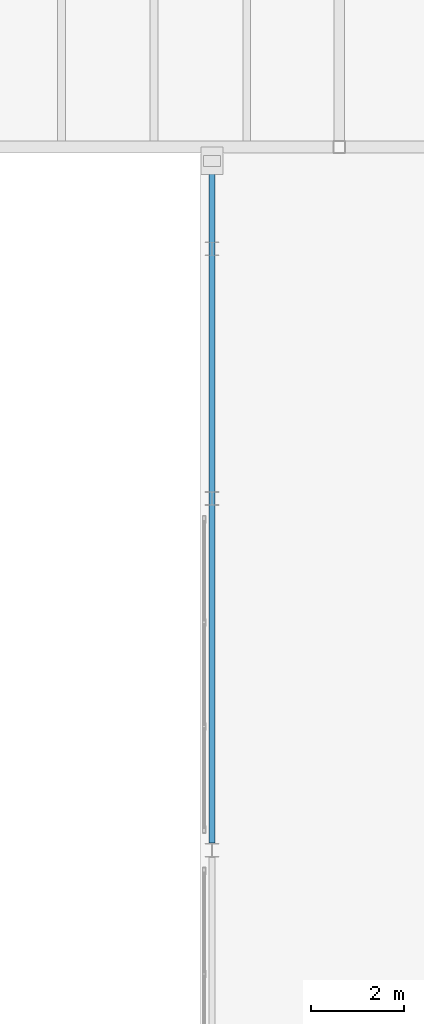
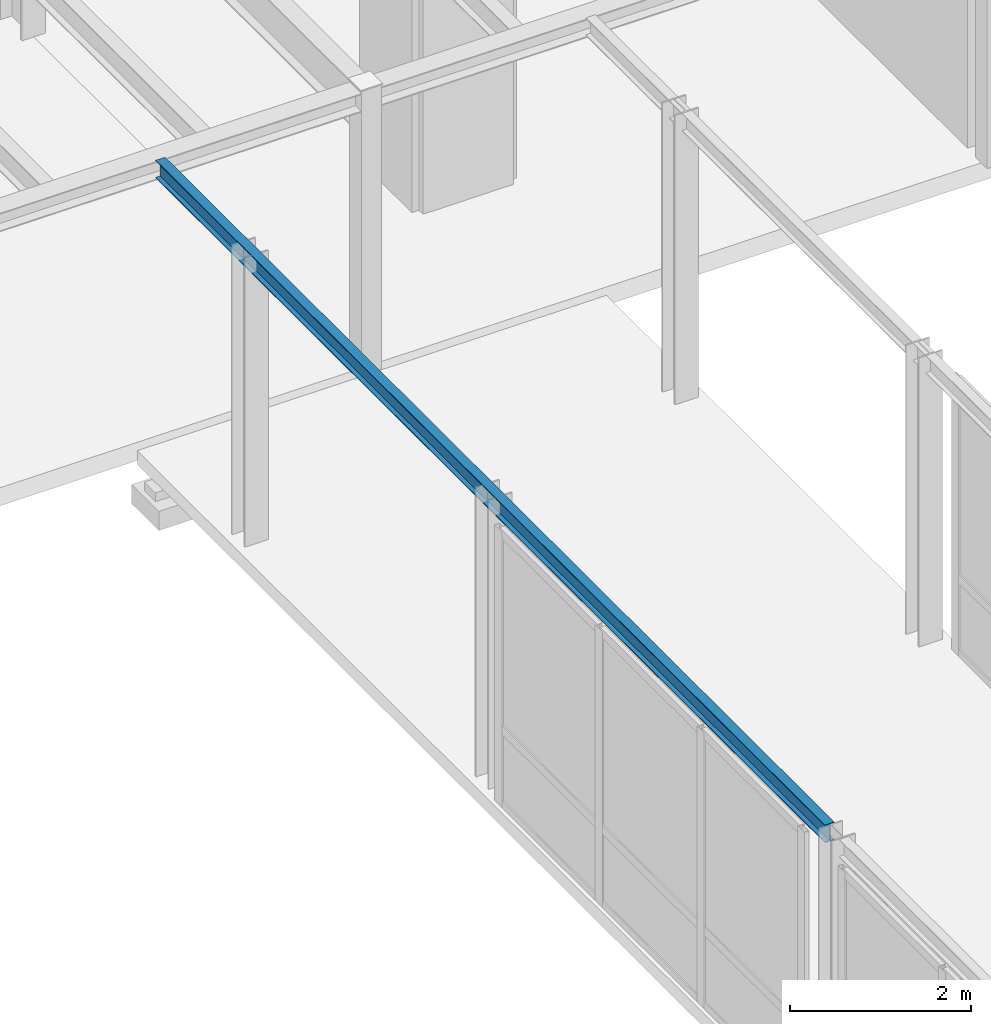
# One storey, part 129 of 189: 1 beam.
"""IFC4 building model written with IfcOpenShell, lengths in metres."""

import ifcopenshell
import ifcopenshell.guid

model = None  # the IFC model being written
_history = None  # IfcOwnerHistory: only IFC2X3 demands one
_inside = {}  # id of a spatial element -> (the spatial element, [elements in it])
_under = {}  # id of a project, library or spatial element -> (it, [spatial elements below it])
_declared = {}  # id of a project -> (the project, [libraries it declares])
_typed = {}  # id of a type object -> (the type object, [elements of that type])
_made_of = {}  # id of a material, layer set ... -> (it, [elements and type objects made of it])


def new_model(schema):
    """Start an empty IFC model of exactly this schema.

    Asked for "IFC4X3", IfcOpenShell would pick the latest addendum, in which some entities
    have other attributes; the version numbers below select the first issue.
    IFC2X3 requires an IfcOwnerHistory on every rooted entity: one is made here for all.
    """
    global model, _history
    if schema == "IFC4X3":
        model = ifcopenshell.file(schema_version=(4, 3, 0, 0))
    else:
        model = ifcopenshell.file(schema=schema)
    _inside.clear()
    _under.clear()
    _declared.clear()
    _typed.clear()
    _made_of.clear()
    _history = None
    if model.schema == "IFC2X3":
        org = make("IfcOrganization", Name="unknown")
        user = make(
            "IfcPersonAndOrganization",
            ThePerson=make("IfcPerson", FamilyName="unknown"),
            TheOrganization=org,
        )
        app = make(
            "IfcApplication",
            ApplicationDeveloper=org,
            Version="unknown",
            ApplicationFullName="unknown",
            ApplicationIdentifier="unknown",
        )
        _history = make(
            "IfcOwnerHistory",
            OwningUser=user,
            OwningApplication=app,
            ChangeAction="ADDED",
            CreationDate=0,
        )
    return model


def make(cls, **values):
    """One entity of the class cls with the attributes given. An attribute that is None is left unset."""
    return model.create_entity(
        cls, **{name: value for name, value in values.items() if value is not None}
    )


def rooted(cls, **values):
    """An entity with a GlobalId (a new one), such as an element, a storey or a relation."""
    return make(cls, GlobalId=ifcopenshell.guid.new(), OwnerHistory=_history, **values)


def si_unit(unit_type, name, prefix=None):
    """IfcSIUnit, for example si_unit("LENGTHUNIT", "METRE", prefix="MILLI")."""
    return make("IfcSIUnit", UnitType=unit_type, Prefix=prefix, Name=name)


def assignment(units):
    """IfcUnitAssignment: the units of a project."""
    return None if units is None else make("IfcUnitAssignment", Units=units)


def point(xyz):
    """IfcCartesianPoint."""
    return None if xyz is None else make("IfcCartesianPoint", Coordinates=xyz)


def direction(xyz):
    """IfcDirection."""
    return None if xyz is None else make("IfcDirection", DirectionRatios=xyz)


def frame(location, z_axis=None, x_axis=None):
    """IfcAxis2Placement3D, a coordinate frame: its origin and axes. An axis left out is left unset."""
    return make(
        "IfcAxis2Placement3D",
        Location=point(location),
        Axis=direction(z_axis),
        RefDirection=direction(x_axis),
    )


def frame_2d(location, x_axis=None):
    """IfcAxis2Placement2D, a coordinate frame in the plane: its origin and x axis."""
    return make(
        "IfcAxis2Placement2D", Location=point(location), RefDirection=direction(x_axis)
    )


def origin():
    """The frame at (0, 0, 0) with its axes left unset."""
    return frame((0.0, 0.0, 0.0))


def origin_2d():
    """The frame at (0, 0) in the plane with its x axis left unset."""
    return frame_2d((0.0, 0.0))


def place(relative_to, where):
    """IfcLocalPlacement: puts the frame where relative to a parent placement (None: the world)."""
    return make(
        "IfcLocalPlacement", PlacementRelTo=relative_to, RelativePlacement=where
    )


def context(
    kind, dimensions, precision=None, world=None, true_north=None, identifier=None
):
    """IfcGeometricRepresentationContext, for example the 3D "Model" context."""
    return make(
        "IfcGeometricRepresentationContext",
        ContextIdentifier=identifier,
        ContextType=kind,
        CoordinateSpaceDimension=dimensions,
        Precision=precision,
        WorldCoordinateSystem=world,
        TrueNorth=true_north,
    )


def subcontext(parent, identifier, kind, view, scale=None):
    """IfcGeometricRepresentationSubContext, for example "Body" below "Model"."""
    return make(
        "IfcGeometricRepresentationSubContext",
        ContextIdentifier=identifier,
        ContextType=kind,
        ParentContext=parent,
        TargetScale=scale,
        TargetView=view,
    )


def project(units=None, contexts=None):
    """IfcProject with its units and contexts."""
    return rooted(
        "IfcProject",
        Name="project",
        RepresentationContexts=contexts,
        UnitsInContext=assignment(units),
    )


def spatial(cls, under=None, at=None, **own):
    """A site, building, storey or space (cls), placed at a placement, below another one or the project."""
    s = rooted(cls, ObjectPlacement=at, **own)
    if under is not None:
        _under.setdefault(under.id(), (under, []))[1].append(s)
    return s


def profile(cls, at=None, kind="AREA", **sizes):
    """A parametric profile (cls). Its sizes go by their IFC names, for example OverallWidth=200.0."""
    return make(cls, ProfileType=kind, Position=at, **sizes)


def i_section(**sizes):
    """IfcIShapeProfileDef."""
    return profile("IfcIShapeProfileDef", **sizes)


def extrude(swept, where, along, depth):
    """IfcExtrudedAreaSolid: the profile swept, set in the frame where, extruded along a direction by depth."""
    return make(
        "IfcExtrudedAreaSolid",
        SweptArea=swept,
        Position=where,
        ExtrudedDirection=direction(along),
        Depth=depth,
    )


def shape(context_of_items, identifier, shape_type, items):
    """IfcShapeRepresentation: the items that make up one representation, for example the "Body"."""
    return make(
        "IfcShapeRepresentation",
        ContextOfItems=context_of_items,
        RepresentationIdentifier=identifier,
        RepresentationType=shape_type,
        Items=items,
    )


def material(Name=None, Category=None):
    """IfcMaterial."""
    return make("IfcMaterial", Name=Name, Category=Category)


def material_profile(
    of_material, cross_section, Name=None, Category=None, Priority=None
):
    """IfcMaterialProfile: a cross section and its material."""
    return make(
        "IfcMaterialProfile",
        Name=Name,
        Material=of_material,
        Profile=cross_section,
        Priority=Priority,
        Category=Category,
    )


def profile_set(profiles, Name=None, composite=None):
    """IfcMaterialProfileSet."""
    return make(
        "IfcMaterialProfileSet",
        Name=Name,
        MaterialProfiles=profiles,
        CompositeProfile=composite,
    )


def made_of(thing, what):
    """Note that an element or type object is made of a material, layer set ...; save() writes the relation."""
    if what is not None:
        _made_of.setdefault(what.id(), (what, []))[1].append(thing)
    return thing


def type_object(cls, material=None, **own):
    """A type object (cls), such as IfcWallType, which elements share."""
    return made_of(rooted(cls, **own), material)


def element(
    cls,
    number,
    at=None,
    inside=None,
    cuts=None,
    type_object=None,
    material=None,
    context=None,
    identifier="Body",
    shape_type=None,
    held_by="IfcProductDefinitionShape",
    body=None,
    shapes=None,
    **own,
):
    """One element of the class cls, such as IfcWall. Its Tag is "e" and its number.

    at: its placement. inside: the storey or other place that contains it. cuts: it is an
    opening in that element (IfcRelVoidsElement). A single representation is given by context,
    identifier, shape_type and body (its items); several are given by shapes. held_by: the class
    of the entity that holds the representations. save() writes the other relations.
    """
    e = rooted(cls, Tag="e%d" % number, ObjectPlacement=at, **own)
    if body is not None:
        shapes = [shape(context, identifier, shape_type, body)]
    if shapes is not None:
        e.Representation = make(held_by, Representations=shapes)
    if inside is not None:
        _inside.setdefault(inside.id(), (inside, []))[1].append(e)
    if cuts is not None:
        rooted(
            "IfcRelVoidsElement", RelatingBuildingElement=cuts, RelatedOpeningElement=e
        )
    if type_object is not None:
        _typed.setdefault(type_object.id(), (type_object, []))[1].append(e)
    return made_of(e, material)


def aggregate(whole, parts):
    """IfcRelAggregates: a whole, such as a stair, and the parts it consists of."""
    return rooted("IfcRelAggregates", RelatingObject=whole, RelatedObjects=parts)


def save(model, path):
    """Write the relations noted so far, then the file.

    IfcRelAggregates (storeys below a building ...), IfcRelContainedInSpatialStructure (elements
    in a storey), IfcRelDefinesByType, IfcRelAssociatesMaterial and IfcRelDeclares: one each for
    every whole, place, type object, material and project.
    """
    for whole, parts in _under.values():
        aggregate(whole, parts)
    for where, things in _inside.values():
        rooted(
            "IfcRelContainedInSpatialStructure",
            RelatedElements=things,
            RelatingStructure=where,
        )
    for kind, things in _typed.values():
        rooted("IfcRelDefinesByType", RelatedObjects=things, RelatingType=kind)
    for what, things in _made_of.values():
        rooted("IfcRelAssociatesMaterial", RelatedObjects=things, RelatingMaterial=what)
    for by, libraries in _declared.values():
        rooted("IfcRelDeclares", RelatingContext=by, RelatedDefinitions=libraries)
    model.write(path)


model = new_model("IFC4")

# Units and contexts
model_context = context("Model", 3, precision=1e-05, world=origin(), true_north=direction((0.0, 1.0)))
body_context = subcontext(model_context, "Body", "Model", "MODEL_VIEW")
ifc_project = project(units=[si_unit("LENGTHUNIT", "METRE"), si_unit("AREAUNIT", "SQUARE_METRE"), si_unit("VOLUMEUNIT", "CUBIC_METRE"), si_unit("PLANEANGLEUNIT", "RADIAN"), si_unit("MASSUNIT", "GRAM", prefix="KILO")], contexts=[model_context])

# Site, building, storey
site_placement = place(None, origin())
site = spatial("IfcSite", under=ifc_project, at=site_placement, CompositionType="ELEMENT")
building_placement = place(site_placement, origin())
building = spatial("IfcBuilding", under=site, at=building_placement, Name="Montecoro Central Library", CompositionType="ELEMENT")
storey_placement = place(building_placement, frame((0.0, 0.0, 9.179931640625)))
storey = spatial("IfcBuildingStorey", under=building, at=storey_placement, Name="L02", CompositionType="ELEMENT", Elevation=9.179931640625)

# Beam
ifc_material = material(Name="Steel S355", Category="steel")
ifc_material_profile = material_profile(ifc_material, i_section(OverallWidth=0.1201171875, OverallDepth=0.239990234375, WebThickness=0.006103515625, FlangeThickness=0.009765625, at=origin_2d()), Name="IPE 240")
ifc_profile_set = profile_set([ifc_material_profile], Name="Steel S355")
beam_type = type_object("IfcBeamType", Name="BM-SP-IPE240", PredefinedType="SPANDREL", material=ifc_profile_set)
beam_placement = place(storey_placement, frame((154.25, 58.360107421875, 3.7880859375), z_axis=(0.0, 1.0, 0.0), x_axis=(-1.0, 0.0, 0.0)))
element("IfcBeam", 1, at=beam_placement, inside=storey, type_object=beam_type, Name="BR-E-ROOF-BM-W2", PredefinedType="SPANDREL", context=body_context, shape_type="SweptSolid", body=[
    extrude(i_section(OverallWidth=0.1201171875, OverallDepth=0.239990234375, WebThickness=0.006103515625, FlangeThickness=0.009765625, at=origin_2d()), origin(), (0.0, 0.0, 1.0), 14.81982421875),
])

save(model, "model.ifc")
